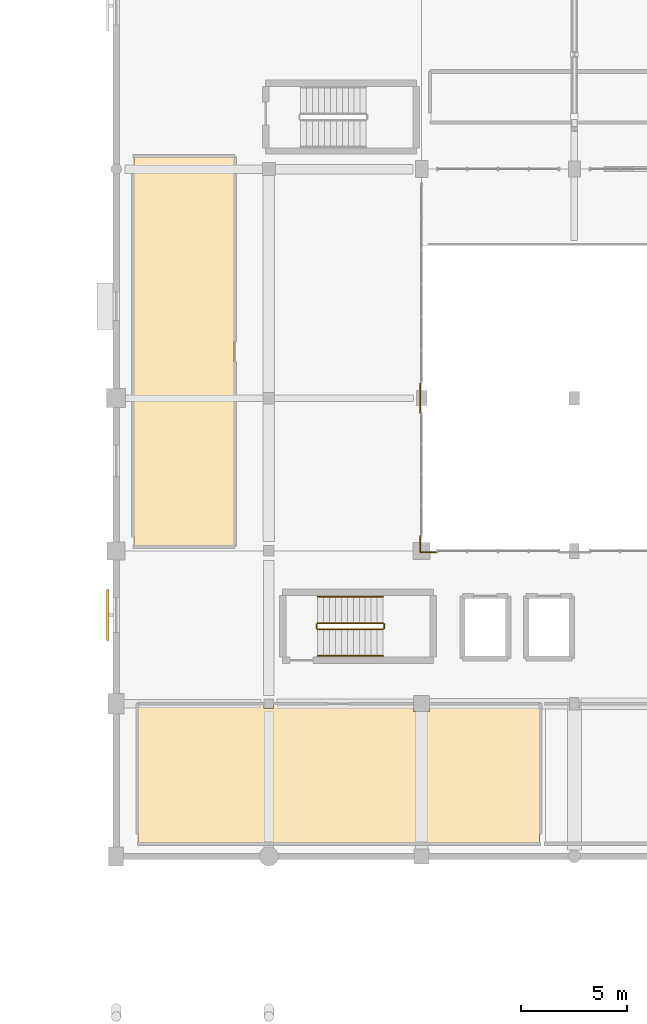
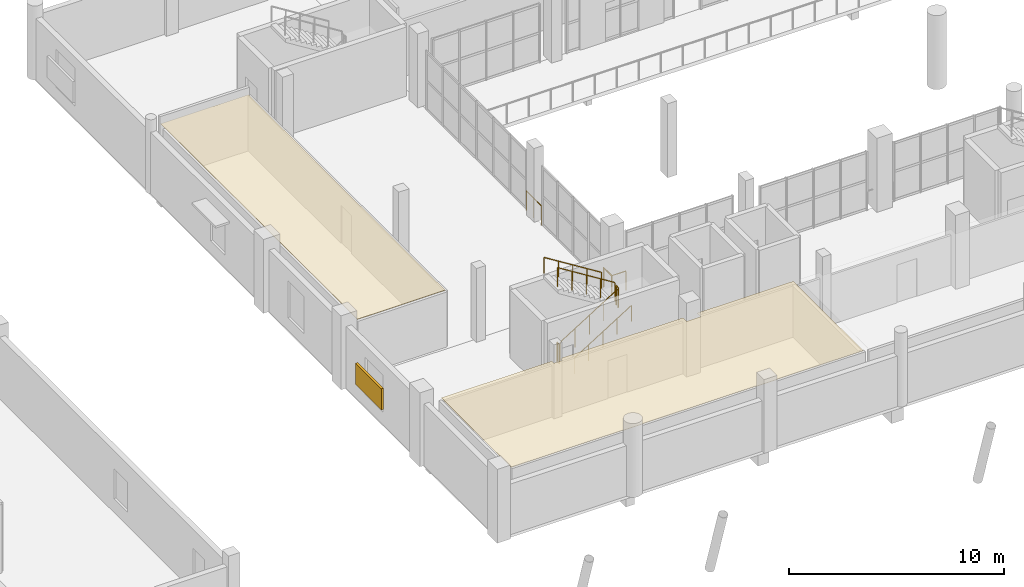
# One storey, part 82 of 92: 9 railings, 2 coverings, 1 shading device.
"""IFC4 building model written with IfcOpenShell, lengths in metres."""

from ifc_helpers import new_model, si_unit, direction, frame, origin, origin_2d, place, context, subcontext, project, spatial, polyline, rectangle, circle, outline, extrude, material, layer, layer_set, type_object, element, save


model = new_model("IFC4")

# Units and contexts
model_context = context("Model", 3, precision=1e-05, world=origin(), true_north=direction((0.0, 1.0)))
body_context = subcontext(model_context, "Body", "Model", "MODEL_VIEW")
ifc_project = project(units=[si_unit("LENGTHUNIT", "METRE"), si_unit("AREAUNIT", "SQUARE_METRE"), si_unit("VOLUMEUNIT", "CUBIC_METRE"), si_unit("PLANEANGLEUNIT", "RADIAN"), si_unit("MASSUNIT", "GRAM", prefix="KILO")], contexts=[model_context])

# Site, building, storey
site_placement = place(None, origin())
site = spatial("IfcSite", under=ifc_project, at=site_placement, CompositionType="ELEMENT")
building_placement = place(site_placement, origin())
building = spatial("IfcBuilding", under=site, at=building_placement, Name="Solanera Park Tramway Depot", CompositionType="ELEMENT")
storey_placement = place(building_placement, frame((0.0, 0.0, 4.800048828125)))
storey = spatial("IfcBuildingStorey", under=building, at=storey_placement, Name="L01", CompositionType="ELEMENT", Elevation=4.800048828125)

# Coverings
ifc_material_1 = material(Name="Acoustic perforated plasterboard and mineral-fibre ceiling")
ifc_layer_1 = layer(ifc_material_1, 0.02001953125)
ifc_layer_set_1 = layer_set([ifc_layer_1], Name="Acoustic perforated plasterboard and mineral-fibre ceiling")
covering_type = type_object("IfcCoveringType", Name="Acoustic Mineral-Fibre Ceiling 20", PredefinedType="CEILING", material=ifc_layer_set_1)
covering_1_placement = place(storey_placement, frame((0.0, 0.0, 3.14990234375)))
element("IfcCovering", 1, at=covering_1_placement, inside=storey, type_object=covering_type, Name="Full-Cab Tramway Driving Simulator 1 Acoustic Ceiling", PredefinedType="CEILING", context=body_context, shape_type="SweptSolid", body=[
    extrude(outline(polyline([(109.0400390625, 17.9599609375), (114.971923828125, 17.9599609375), (114.971923828125, 17.77197265625), (115.427978515625, 17.77197265625), (115.427978515625, 17.9599609375), (122.02197265625, 17.9599609375), (122.02197265625, 17.6220703125), (122.778076171875, 17.6220703125), (122.778076171875, 17.9599609375), (127.9599609375, 17.9599609375), (127.9599609375, 11.43994140625), (109.0400390625, 11.43994140625), (109.0400390625, 17.9599609375)])), origin(), (0.0, 0.0, 1.0), 0.02001953125),
])
covering_2_placement = place(storey_placement, frame((0.0, 0.0, 3.14990234375)))
element("IfcCovering", 2, at=covering_2_placement, inside=storey, type_object=covering_type, Name="Crew Wellness and Fitness Studio Acoustic Ceiling", PredefinedType="CEILING", context=body_context, shape_type="SweptSolid", body=[
    extrude(outline(polyline([(113.56005859375, 25.43994140625), (108.840087890625, 25.43994140625), (108.840087890625, 43.760009765625), (113.56005859375, 43.760009765625), (113.56005859375, 25.43994140625)])), origin(), (0.0, 0.0, 1.0), 0.02001953125),
])

# Railings
ifc_material_2 = material(Name="Powder-coated galvanised steel balustrade", Category="steel")
ifc_layer_2 = layer(ifc_material_2, 0.06005859375)
ifc_layer_set_2 = layer_set([ifc_layer_2], Name="Powder-coated galvanised steel balustrade")
railing_type_1 = type_object("IfcRailingType", Name="Classical Wrought-Style Balustrade 1120", PredefinedType="BALUSTRADE", material=ifc_layer_set_2)
railing_1_placement = place(storey_placement, frame((122.340087890625, 33.10009765625, 0.0)))
element("IfcRailing", 3, at=railing_1_placement, inside=storey, type_object=railing_type_1, Name="L01 Perimeter Deck Balustrade #003", PredefinedType="BALUSTRADE", context=body_context, shape_type="SweptSolid", body=[
    extrude(circle(Radius=0.02392578125, at=origin_2d()), frame((0.0, 0.0, 1.09619140625), z_axis=(0.0, -1.0, 0.0), x_axis=(1.0, 0.0, 0.0)), (0.0, 0.0, 1.0), 1.400146484375),
    extrude(circle(Radius=0.02099609375, at=origin_2d()), origin(), (0.0, 0.0, 1.0), 1.072021484375),
    extrude(circle(Radius=0.02099609375, at=origin_2d()), frame((0.0, -0.7001953125, 0.0)), (0.0, 0.0, 1.0), 1.072021484375),
    extrude(circle(Radius=0.02099609375, at=origin_2d()), frame((0.0, -1.400146484375, 0.0)), (0.0, 0.0, 1.0), 1.072021484375),
])
railing_2_placement = place(storey_placement, frame((122.340087890625, 25.89990234375, 0.0)))
element("IfcRailing", 4, at=railing_2_placement, inside=storey, type_object=railing_type_1, Name="L01 Perimeter Deck Balustrade #004", PredefinedType="BALUSTRADE", context=body_context, shape_type="SweptSolid", body=[
    extrude(circle(Radius=0.02392578125, at=origin_2d()), frame((0.0, 0.0, 1.09619140625), z_axis=(0.0, -1.0, 0.0), x_axis=(1.0, 0.0, 0.0)), (0.0, 0.0, 1.0), 0.760009765625),
    extrude(circle(Radius=0.02099609375, at=origin_2d()), origin(), (0.0, 0.0, 1.0), 1.072021484375),
    extrude(circle(Radius=0.02099609375, at=origin_2d()), frame((0.0, -0.760009765625, 0.0)), (0.0, 0.0, 1.0), 1.072021484375),
])
railing_3_placement = place(storey_placement, frame((122.340087890625, 25.139892578125, 0.0)))
element("IfcRailing", 5, at=railing_3_placement, inside=storey, type_object=railing_type_1, Name="L01 Perimeter Deck Balustrade #005", PredefinedType="BALUSTRADE", context=body_context, shape_type="SweptSolid", body=[
    extrude(circle(Radius=0.02392578125, at=origin_2d()), frame((0.0, 0.0, 1.09619140625), z_axis=(1.0, 0.0, 0.0), x_axis=(0.0, 1.0, 0.0)), (0.0, 0.0, 1.0), 0.760009765625),
    extrude(circle(Radius=0.02099609375, at=origin_2d()), origin(), (0.0, 0.0, 1.0), 1.072021484375),
    extrude(circle(Radius=0.02099609375, at=origin_2d()), frame((0.760009765625, 0.0, 0.0)), (0.0, 0.0, 1.0), 1.072021484375),
])
ifc_material_3 = material(Name="Brushed stainless steel 316 handrail", Category="steel")
ifc_layer_3 = layer(ifc_material_3, 0.050048828125)
ifc_layer_set_3 = layer_set([ifc_layer_3], Name="Brushed stainless steel 316 handrail")
railing_type_2 = type_object("IfcRailingType", Name="Stair Pitch Tubular Handrail 920", PredefinedType="HANDRAIL", material=ifc_layer_set_3)
railing_4_placement = place(storey_placement, frame((117.5, 20.25, 0.175048828125)))
element("IfcRailing", 6, at=railing_4_placement, inside=storey, type_object=railing_type_2, Name="ST-01 L01 Pitch Handrail 1", PredefinedType="HANDRAIL", context=body_context, shape_type="SweptSolid", body=[
    extrude(circle(Radius=0.02392578125, at=origin_2d()), frame((0.0, 0.0, 0.89599609375), z_axis=(0.848028513186, 0.0, 0.529950602248), x_axis=(0.0, 1.0, 0.0)), (0.0, 0.0, 1.0), 3.632080078125),
    extrude(circle(Radius=0.02099609375, at=origin_2d()), origin(), (0.0, 0.0, 1.0), 0.871826171875),
    extrude(circle(Radius=0.02099609375, at=origin_2d()), frame((0.77001953125, 0.0, 0.481201171875)), (0.0, 0.0, 1.0), 0.871826171875),
    extrude(circle(Radius=0.02099609375, at=origin_2d()), frame((1.5400390625, 0.0, 0.96240234375)), (0.0, 0.0, 1.0), 0.871826171875),
    extrude(circle(Radius=0.02099609375, at=origin_2d()), frame((2.31005859375, 0.0, 1.443603515625)), (0.0, 0.0, 1.0), 0.871826171875),
    extrude(circle(Radius=0.02099609375, at=origin_2d()), frame((3.080078125, 0.0, 1.9248046875)), (0.0, 0.0, 1.0), 0.871826171875),
])
railing_5_placement = place(storey_placement, frame((120.580078125, 23.050048828125, 2.27490234375)))
element("IfcRailing", 7, at=railing_5_placement, inside=storey, type_object=railing_type_2, Name="ST-01 L01 Pitch Handrail 2", PredefinedType="HANDRAIL", context=body_context, shape_type="SweptSolid", body=[
    extrude(circle(Radius=0.02392578125, at=origin_2d()), frame((0.0, 0.0, 0.89599609375), z_axis=(-0.847998304005, 0.0, 0.529998940003), x_axis=(0.0, -1.0, 0.0)), (0.0, 0.0, 1.0), 3.632080078125),
    extrude(circle(Radius=0.02099609375, at=origin_2d()), origin(), (0.0, 0.0, 1.0), 0.871826171875),
    extrude(circle(Radius=0.02099609375, at=origin_2d()), frame((-0.77001953125, 0.0, 0.481201171875)), (0.0, 0.0, 1.0), 0.871826171875),
    extrude(circle(Radius=0.02099609375, at=origin_2d()), frame((-1.5400390625, 0.0, 0.96240234375)), (0.0, 0.0, 1.0), 0.871826171875),
    extrude(circle(Radius=0.02099609375, at=origin_2d()), frame((-2.31005859375, 0.0, 1.44384765625)), (0.0, 0.0, 1.0), 0.871826171875),
    extrude(circle(Radius=0.02099609375, at=origin_2d()), frame((-3.080078125, 0.0, 1.925048828125)), (0.0, 0.0, 1.0), 0.871826171875),
])
ifc_material_4 = material(Name="Steel AS/NZS 1163 Grade C350L0", Category="steel")
ifc_layer_4 = layer(ifc_material_4, 0.06005859375)
ifc_layer_set_4 = layer_set([ifc_layer_4], Name="Steel AS/NZS 1163 Grade C350L0")
railing_type_3 = type_object("IfcRailingType", Name="Stairwell Guardrail 1100", PredefinedType="GUARDRAIL", material=ifc_layer_set_4)
railing_6_placement = place(storey_placement, frame((117.5, 21.5, 0.175048828125)))
element("IfcRailing", 8, at=railing_6_placement, inside=storey, type_object=railing_type_3, Name="ST-01 L01 Well Guard 1", PredefinedType="GUARDRAIL", context=body_context, shape_type="SweptSolid", body=[
    extrude(circle(Radius=0.02392578125, at=origin_2d()), frame((0.0, 0.0, 1.076171875), z_axis=(0.848028513186, 0.0, 0.529950602248), x_axis=(0.0, 1.0, 0.0)), (0.0, 0.0, 1.0), 3.632080078125),
    extrude(circle(Radius=0.02099609375, at=origin_2d()), origin(), (0.0, 0.0, 1.0), 1.052001953125),
    extrude(circle(Radius=0.02099609375, at=origin_2d()), frame((0.77001953125, 0.0, 0.481201171875)), (0.0, 0.0, 1.0), 1.052001953125),
    extrude(circle(Radius=0.02099609375, at=origin_2d()), frame((1.5400390625, 0.0, 0.96240234375)), (0.0, 0.0, 1.0), 1.052001953125),
    extrude(circle(Radius=0.02099609375, at=origin_2d()), frame((2.31005859375, 0.0, 1.443603515625)), (0.0, 0.0, 1.0), 1.052001953125),
    extrude(circle(Radius=0.02099609375, at=origin_2d()), frame((3.080078125, 0.0, 1.9248046875)), (0.0, 0.0, 1.0), 1.052001953125),
])
railing_7_placement = place(storey_placement, frame((120.6298828125, 21.550048828125, 2.099853515625)))
element("IfcRailing", 9, at=railing_7_placement, inside=storey, type_object=railing_type_3, Name="ST-01 L01 Well Guard 2", PredefinedType="GUARDRAIL", context=body_context, shape_type="SweptSolid", body=[
    extrude(circle(Radius=0.02392578125, at=origin_2d()), frame((0.0, 0.0, 1.076171875), z_axis=(0.0, 1.0, 0.0), x_axis=(-1.0, 0.0, 0.0)), (0.0, 0.0, 1.0), 0.199951171875),
    extrude(circle(Radius=0.02099609375, at=origin_2d()), origin(), (0.0, 0.0, 1.0), 1.052001953125),
    extrude(circle(Radius=0.02099609375, at=origin_2d()), frame((0.0, 0.199951171875, 0.0)), (0.0, 0.0, 1.0), 1.052001953125),
])
railing_8_placement = place(storey_placement, frame((120.580078125, 21.800048828125, 2.27490234375)))
element("IfcRailing", 10, at=railing_8_placement, inside=storey, type_object=railing_type_3, Name="ST-01 L01 Well Guard 3", PredefinedType="GUARDRAIL", context=body_context, shape_type="SweptSolid", body=[
    extrude(circle(Radius=0.02392578125, at=origin_2d()), frame((0.0, 0.0, 1.076171875), z_axis=(-0.847998304005, 0.0, 0.529998940003), x_axis=(0.0, -1.0, 0.0)), (0.0, 0.0, 1.0), 3.632080078125),
    extrude(circle(Radius=0.02099609375, at=origin_2d()), origin(), (0.0, 0.0, 1.0), 1.052001953125),
    extrude(circle(Radius=0.02099609375, at=origin_2d()), frame((-0.77001953125, 0.0, 0.481201171875)), (0.0, 0.0, 1.0), 1.052001953125),
    extrude(circle(Radius=0.02099609375, at=origin_2d()), frame((-1.5400390625, 0.0, 0.96240234375)), (0.0, 0.0, 1.0), 1.052001953125),
    extrude(circle(Radius=0.02099609375, at=origin_2d()), frame((-2.31005859375, 0.0, 1.44384765625)), (0.0, 0.0, 1.0), 1.052001953125),
    extrude(circle(Radius=0.02099609375, at=origin_2d()), frame((-3.080078125, 0.0, 1.925048828125)), (0.0, 0.0, 1.0), 1.052001953125),
])
railing_9_placement = place(storey_placement, frame((117.449951171875, 21.550048828125, 0.0)))
element("IfcRailing", 11, at=railing_9_placement, inside=storey, type_object=railing_type_3, Name="ST-01 L01 Well Guard 4", PredefinedType="GUARDRAIL", context=body_context, shape_type="SweptSolid", body=[
    extrude(circle(Radius=0.02392578125, at=origin_2d()), frame((0.0, 0.0, 1.076171875), z_axis=(0.0, 1.0, 0.0), x_axis=(-1.0, 0.0, 0.0)), (0.0, 0.0, 1.0), 0.199951171875),
    extrude(circle(Radius=0.02099609375, at=origin_2d()), origin(), (0.0, 0.0, 1.0), 1.052001953125),
    extrude(circle(Radius=0.02099609375, at=origin_2d()), frame((0.0, 0.199951171875, 0.0)), (0.0, 0.0, 1.0), 1.052001953125),
])

# Shading device
ifc_material_5 = material(Name="Powder-coated aluminium aerofoil louvre", Category="aluminium")
shading_device_type = type_object("IfcShadingDeviceType", Name="Timber-Look Aluminium Jalousie Louvre 2400x1200", PredefinedType="JALOUSIE", material=ifc_material_5)
shading_device_placement = place(storey_placement, frame((107.610107421875, 22.175048828125, 1.169921875), z_axis=(0.0, 0.0, 1.0), x_axis=(0.0, -1.0, 0.0)))
element("IfcShadingDevice", 12, at=shading_device_placement, inside=storey, type_object=shading_device_type, Name="Jalousie Louvre Screen #026", PredefinedType="JALOUSIE", context=body_context, shape_type="SweptSolid", body=[
    extrude(rectangle(XDim=2.39990234375, YDim=0.1201171875, at=origin_2d()), origin(), (0.0, 0.0, 1.0), 1.199951171875),
])

save(model, "model.ifc")
